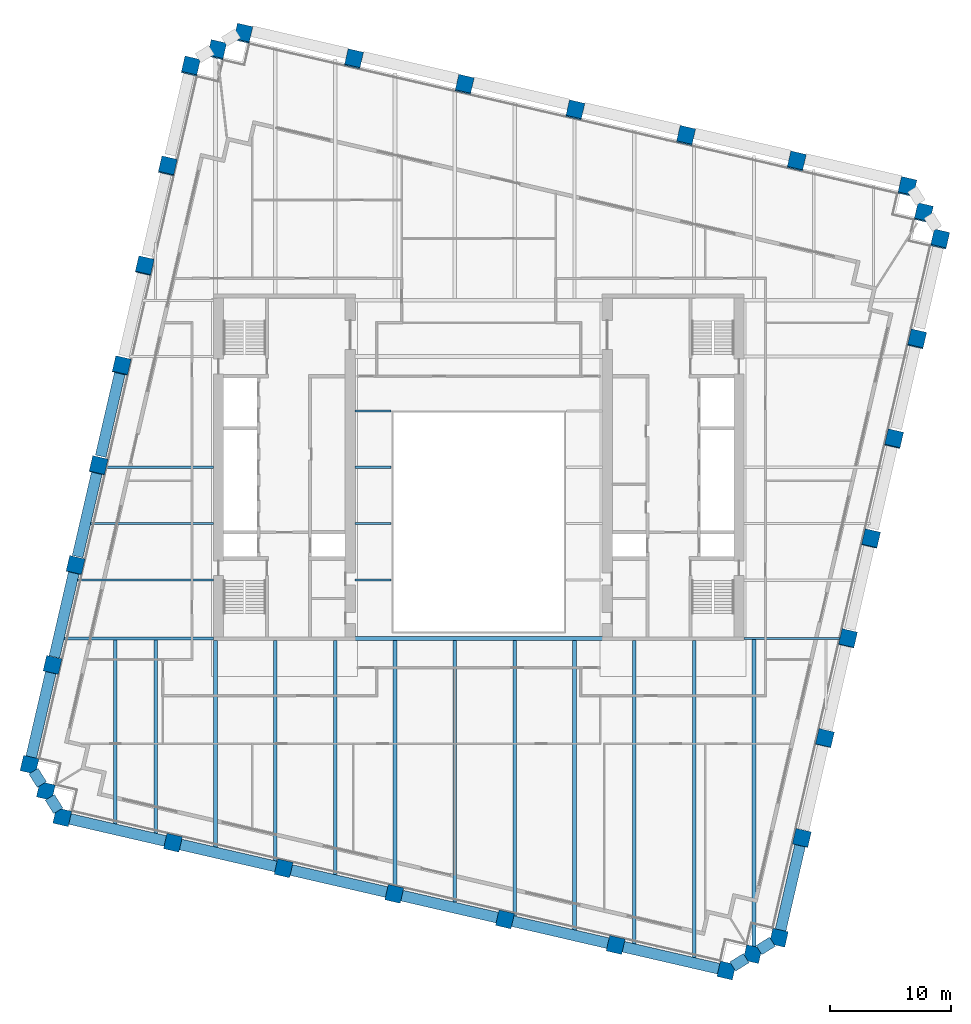
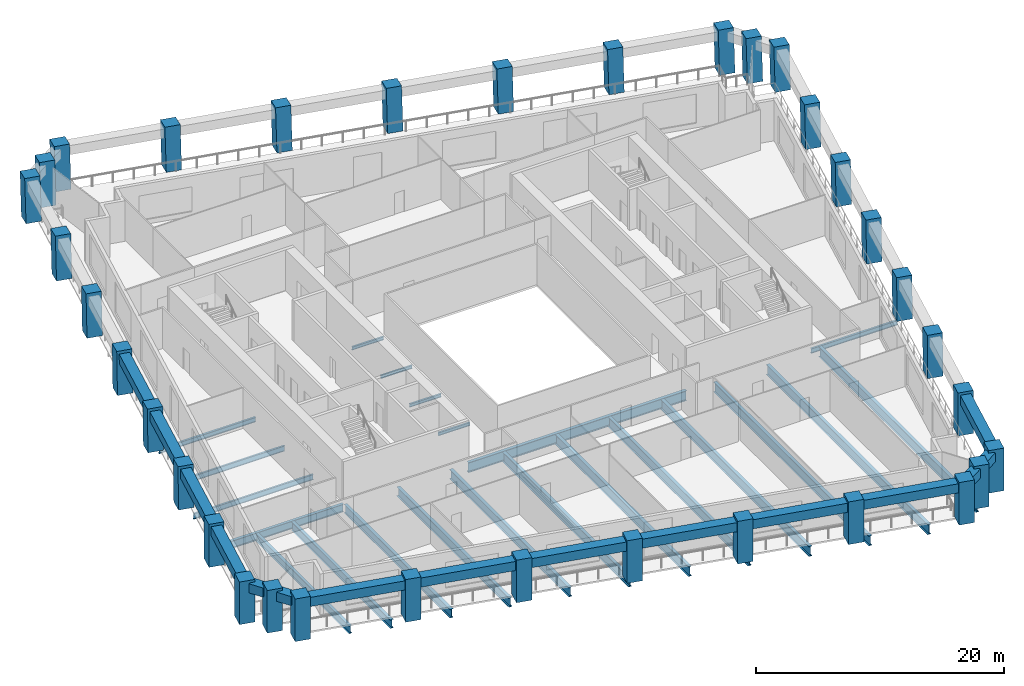
# One storey, part 1 of 10: 37 beams, 34 columns.
"""IFC4 building model written with IfcOpenShell, lengths in metres."""

from ifc_helpers import new_model, si_unit, direction, frame, origin, origin_2d, place, context, subcontext, project, spatial, rectangle, i_section, extrude, material, material_profile, profile_set, type_object, element, save


model = new_model("IFC4")

# Units and contexts
model_context = context("Model", 3, precision=1e-05, world=origin(), true_north=direction((0.0, 1.0)))
body_context = subcontext(model_context, "Body", "Model", "MODEL_VIEW")
ifc_project = project(units=[si_unit("LENGTHUNIT", "METRE"), si_unit("AREAUNIT", "SQUARE_METRE"), si_unit("VOLUMEUNIT", "CUBIC_METRE"), si_unit("PLANEANGLEUNIT", "RADIAN"), si_unit("MASSUNIT", "GRAM", prefix="KILO")], contexts=[model_context])

# Site, building, storey
site_placement = place(None, origin())
site = spatial("IfcSite", under=ifc_project, at=site_placement, CompositionType="ELEMENT")
building_placement = place(site_placement, origin())
building = spatial("IfcBuilding", under=site, at=building_placement, Name="Ogive Exchange Tower", CompositionType="ELEMENT")
storey_placement = place(building_placement, frame((0.0, 0.0, 147.60009765625)))
storey = spatial("IfcBuildingStorey", under=building, at=storey_placement, Name="L32", CompositionType="ELEMENT", Elevation=147.60009765625)

# Columns
ifc_material_1 = material(Name="Precast concrete C70/85 (limestone faced)", Category="masonry")
ifc_material_profile_1 = material_profile(ifc_material_1, rectangle(XDim=1.300048828125, YDim=1.300048828125, at=origin_2d()), Name="1300 x 1300")
ifc_profile_set_1 = profile_set([ifc_material_profile_1], Name="Precast concrete C70/85 (limestone faced)")
column_type = type_object("IfcColumnType", Name="Precast exoskeleton leg 1300 x 1300 C70/85", PredefinedType="COLUMN", material=ifc_profile_set_1)
for number, where, z_axis, x_axis, name in (
    (1, (-34.281982421875, -17.298095703125, 0.0), (0.0, 0.0, 1.0), (0.974370064785, -0.224951054344, 0.0), "Exoskeleton leg 1"),
    (2, (-25.171630859375, -19.401611328125, 0.0), (0.0, 0.0, 1.0), (0.974370064785, -0.224951054344, 0.0), "Exoskeleton leg 2"),
    (3, (-16.061279296875, -21.504638671875, 0.0), (0.0, 0.0, 1.0), (0.974370064785, -0.224951054344, 0.0), "Exoskeleton leg 3"),
    (4, (-6.950927734375, -23.60791015625, 0.0), (0.0, 0.0, 1.0), (0.974370064785, -0.224951054344, 0.0), "Exoskeleton leg 4"),
    (5, (2.159423828125, -25.711181640625, 0.0), (0.0, 0.0, 1.0), (0.974370064785, -0.224951054344, 0.0), "Exoskeleton leg 5"),
    (6, (11.269775390625, -27.814697265625, 0.0), (0.0, 0.0, 1.0), (0.974370064785, -0.224951054344, 0.0), "Exoskeleton leg 6"),
    (7, (20.380126953125, -29.91796875, 0.0), (0.0, 0.0, 1.0), (0.974370064785, -0.224951054344, 0.0), "Exoskeleton leg 7"),
    (8, (24.697509765625, -27.219970703125, 0.0), (0.0, 0.0, 1.0), (0.974370064785, -0.224951054344, 0.0), "Exoskeleton leg 8"),
):
    element("IfcColumn", number, at=place(storey_placement, frame(where, z_axis=z_axis, x_axis=x_axis)), inside=storey, type_object=column_type, Name=name, PredefinedType="COLUMN", context=body_context, shape_type="SweptSolid", body=[
        extrude(rectangle(XDim=1.300048828125, YDim=1.300048828125, at=origin_2d()), origin(), (0.0, 0.0, 1.0), 4.199951171875),
    ])
column_1_placement = place(storey_placement, frame((26.592529296875, -19.012451171875, 0.0), z_axis=(0.002906226325, 0.012613022249, 0.99991622925), x_axis=(-0.974466825284, 0.224531526563, 0.0)))
element("IfcColumn", 9, at=column_1_placement, inside=storey, type_object=column_type, Name="Exoskeleton leg 9", PredefinedType="COLUMN", context=body_context, shape_type="SweptSolid", body=[
    extrude(rectangle(XDim=1.300048828125, YDim=1.300048828125, at=origin_2d()), origin(), (0.0, 0.0, 1.0), 4.2001953125),
])
column_2_placement = place(storey_placement, frame((28.4873046875, -10.804931640625, 0.0), z_axis=(0.005869091843, 0.025277771797, 0.999663237302), x_axis=(-0.974088391429, 0.226167649504, 0.0)))
element("IfcColumn", 10, at=column_2_placement, inside=storey, type_object=column_type, Name="Exoskeleton leg 10", PredefinedType="COLUMN", context=body_context, shape_type="SweptSolid", body=[
    extrude(rectangle(XDim=1.300048828125, YDim=1.300048828125, at=origin_2d()), origin(), (0.0, 0.0, 1.0), 4.201416015625),
])
column_3_placement = place(storey_placement, frame((30.382080078125, -2.597412109375, 0.0), z_axis=(0.008770884695, 0.037929719907, 0.99924191662), x_axis=(-0.974290512438, 0.225295355862, 0.0)))
element("IfcColumn", 11, at=column_3_placement, inside=storey, type_object=column_type, Name="Exoskeleton leg 11", PredefinedType="COLUMN", context=body_context, shape_type="SweptSolid", body=[
    extrude(rectangle(XDim=1.300048828125, YDim=1.300048828125, at=origin_2d()), origin(), (0.0, 0.0, 1.0), 4.203125),
])
column_4_placement = place(storey_placement, frame((32.277099609375, 5.60986328125, 0.0), z_axis=(0.011668267153, 0.050562490995, 0.998652735462), x_axis=(-0.974391195695, 0.224859506699, 0.0)))
element("IfcColumn", 12, at=column_4_placement, inside=storey, type_object=column_type, Name="Exoskeleton leg 12", PredefinedType="COLUMN", context=body_context, shape_type="SweptSolid", body=[
    extrude(rectangle(XDim=1.300048828125, YDim=1.300048828125, at=origin_2d()), origin(), (0.0, 0.0, 1.0), 4.20556640625),
])
column_5_placement = place(storey_placement, frame((34.171875, 13.8173828125, 0.0), z_axis=(0.014559788571, 0.063169759976, 0.997896584813), x_axis=(-0.97445148511, 0.224598092528, 0.0)))
element("IfcColumn", 13, at=column_5_placement, inside=storey, type_object=column_type, Name="Exoskeleton leg 13", PredefinedType="COLUMN", context=body_context, shape_type="SweptSolid", body=[
    extrude(rectangle(XDim=1.300048828125, YDim=1.300048828125, at=origin_2d()), origin(), (0.0, 0.0, 1.0), 4.208740234375),
])
column_6_placement = place(storey_placement, frame((36.066650390625, 22.02490234375, 0.0), z_axis=(0.017502025619, 0.075687567741, 0.996977969259), x_axis=(-0.974290512438, 0.225295355862, 0.0)))
element("IfcColumn", 14, at=column_6_placement, inside=storey, type_object=column_type, Name="Exoskeleton leg 14", PredefinedType="COLUMN", context=body_context, shape_type="SweptSolid", body=[
    extrude(rectangle(XDim=1.300048828125, YDim=1.300048828125, at=origin_2d()), origin(), (0.0, 0.0, 1.0), 4.212646484375),
])
for number, where, z_axis, x_axis, name in (
    (15, (37.961669921875, 30.232421875, 0.0), (0.020377493232, 0.0882252832, 0.995892091129), (-0.97434807649, 0.225046274885, 0.0), "Exoskeleton leg 15"),
    (16, (35.263671875, 34.550048828125, 0.0), (0.020377493232, 0.0882252832, 0.995892091129), (-0.97434807649, 0.225046274885, 0.0), "Exoskeleton leg 16"),
    (17, (26.1533203125, 36.6533203125, 0.0), (0.020377493232, 0.0882252832, 0.995892091129), (-0.97434807649, 0.225046274885, 0.0), "Exoskeleton leg 17"),
    (18, (17.04296875, 38.756591796875, 0.0), (0.020377493232, 0.0882252832, 0.995892091129), (-0.97434807649, 0.225046274885, 0.0), "Exoskeleton leg 18"),
    (19, (7.9326171875, 40.85986328125, 0.0), (0.020377493232, 0.0882252832, 0.995892091129), (-0.97434807649, 0.225046274885, 0.0), "Exoskeleton leg 19"),
    (20, (-1.177734375, 42.963134765625, 0.0), (0.020377493232, 0.0882252832, 0.995892091129), (-0.97434807649, 0.225046274885, 0.0), "Exoskeleton leg 20"),
    (21, (-10.2880859375, 45.06640625, 0.0), (0.020377493232, 0.0882252832, 0.995892091129), (-0.97434807649, 0.225046274885, 0.0), "Exoskeleton leg 21"),
    (22, (-19.3984375, 47.169677734375, 0.0), (0.020377493232, 0.0882252832, 0.995892091129), (-0.97434807649, 0.225046274885, 0.0), "Exoskeleton leg 22"),
    (23, (-23.716064453125, 44.4716796875, 0.0), (0.020377493232, 0.0882252832, 0.995892091129), (-0.97434807649, 0.225046274885, 0.0), "Exoskeleton leg 23"),
):
    element("IfcColumn", number, at=place(storey_placement, frame(where, z_axis=z_axis, x_axis=x_axis)), inside=storey, type_object=column_type, Name=name, PredefinedType="COLUMN", context=body_context, shape_type="SweptSolid", body=[
        extrude(rectangle(XDim=1.300048828125, YDim=1.300048828125, at=origin_2d()), origin(), (0.0, 0.0, 1.0), 4.21728515625),
    ])
column_7_placement = place(storey_placement, frame((-25.61083984375, 36.264404296875, 0.0), z_axis=(0.017444089556, 0.075687644385, 0.996978978829), x_axis=(-0.974454034257, 0.224587032398, 0.0)))
element("IfcColumn", 24, at=column_7_placement, inside=storey, type_object=column_type, Name="Exoskeleton leg 24", PredefinedType="COLUMN", context=body_context, shape_type="SweptSolid", body=[
    extrude(rectangle(XDim=1.300048828125, YDim=1.300048828125, at=origin_2d()), origin(), (0.0, 0.0, 1.0), 4.212646484375),
])
column_8_placement = place(storey_placement, frame((-27.505615234375, 28.056884765625, 0.0), z_axis=(0.014559841898, 0.063111984005, 0.997900239743), x_axis=(-0.97440628778, 0.224794097641, 0.0)))
element("IfcColumn", 25, at=column_8_placement, inside=storey, type_object=column_type, Name="Exoskeleton leg 25", PredefinedType="COLUMN", context=body_context, shape_type="SweptSolid", body=[
    extrude(rectangle(XDim=1.300048828125, YDim=1.300048828125, at=origin_2d()), origin(), (0.0, 0.0, 1.0), 4.208740234375),
])
column_9_placement = place(storey_placement, frame((-29.400634765625, 19.849365234375, 0.0), z_axis=(0.011668267153, 0.050562490995, 0.998652735462), x_axis=(-0.974391195695, 0.224859506699, 0.0)))
element("IfcColumn", 26, at=column_9_placement, inside=storey, type_object=column_type, Name="Exoskeleton leg 26", PredefinedType="COLUMN", context=body_context, shape_type="SweptSolid", body=[
    extrude(rectangle(XDim=1.300048828125, YDim=1.300048828125, at=origin_2d()), origin(), (0.0, 0.0, 1.0), 4.20556640625),
])
column_10_placement = place(storey_placement, frame((-31.29541015625, 11.641845703125, 0.0), z_axis=(0.008770884695, 0.037929719907, 0.99924191662), x_axis=(-0.974290512438, 0.225295355862, 0.0)))
element("IfcColumn", 27, at=column_10_placement, inside=storey, type_object=column_type, Name="Exoskeleton leg 27", PredefinedType="COLUMN", context=body_context, shape_type="SweptSolid", body=[
    extrude(rectangle(XDim=1.300048828125, YDim=1.300048828125, at=origin_2d()), origin(), (0.0, 0.0, 1.0), 4.203125),
])
column_11_placement = place(storey_placement, frame((-33.190185546875, 3.434326171875, 0.0), z_axis=(0.005810975449, 0.025335852957, 0.999662106474), x_axis=(-0.974691740237, 0.22355315143, 0.0)))
element("IfcColumn", 28, at=column_11_placement, inside=storey, type_object=column_type, Name="Exoskeleton leg 28", PredefinedType="COLUMN", context=body_context, shape_type="SweptSolid", body=[
    extrude(rectangle(XDim=1.300048828125, YDim=1.300048828125, at=origin_2d()), origin(), (0.0, 0.0, 1.0), 4.201416015625),
])
column_12_placement = place(storey_placement, frame((-35.085205078125, -4.773193359375, 0.0), z_axis=(0.002906224189, 0.012671137464, 0.999915494498), x_axis=(-0.974691740237, 0.22355315143, 0.0)))
element("IfcColumn", 29, at=column_12_placement, inside=storey, type_object=column_type, Name="Exoskeleton leg 29", PredefinedType="COLUMN", context=body_context, shape_type="SweptSolid", body=[
    extrude(rectangle(XDim=1.300048828125, YDim=1.300048828125, at=origin_2d()), origin(), (0.0, 0.0, 1.0), 4.2001953125),
])
for number, where, z_axis, x_axis, name in (
    (30, (-36.97998046875, -12.980712890625, 0.0), (0.0, 0.0, 1.0), (0.974370064785, -0.224951054344, 0.0), "Exoskeleton leg 30"),
    (31, (22.538818359375, -28.569091796875, 0.0), (0.0, 0.0, 1.0), (0.974370064785, -0.224951054344, 0.0), "Exoskeleton leg 31"),
):
    element("IfcColumn", number, at=place(storey_placement, frame(where, z_axis=z_axis, x_axis=x_axis)), inside=storey, type_object=column_type, Name=name, PredefinedType="COLUMN", context=body_context, shape_type="SweptSolid", body=[
        extrude(rectangle(XDim=1.300048828125, YDim=1.300048828125, at=origin_2d()), origin(), (0.0, 0.0, 1.0), 4.199951171875),
    ])
for number, where, z_axis, x_axis, name in (
    (32, (36.612548828125, 32.39111328125, 0.0), (0.020377493232, 0.0882252832, 0.995892091129), (-0.97434807649, 0.225046274885, 0.0), "Exoskeleton leg 32"),
    (33, (-21.557373046875, 45.82080078125, 0.0), (0.020377493232, 0.0882252832, 0.995892091129), (-0.97434807649, 0.225046274885, 0.0), "Exoskeleton leg 33"),
):
    element("IfcColumn", number, at=place(storey_placement, frame(where, z_axis=z_axis, x_axis=x_axis)), inside=storey, type_object=column_type, Name=name, PredefinedType="COLUMN", context=body_context, shape_type="SweptSolid", body=[
        extrude(rectangle(XDim=1.300048828125, YDim=1.300048828125, at=origin_2d()), origin(), (0.0, 0.0, 1.0), 4.21728515625),
    ])
column_13_placement = place(storey_placement, frame((-35.631103515625, -15.139404296875, 0.0), z_axis=(0.0, 0.0, 1.0), x_axis=(0.974370064785, -0.224951054344, 0.0)))
element("IfcColumn", 34, at=column_13_placement, inside=storey, type_object=column_type, Name="Exoskeleton leg 34", PredefinedType="COLUMN", context=body_context, shape_type="SweptSolid", body=[
    extrude(rectangle(XDim=1.300048828125, YDim=1.300048828125, at=origin_2d()), origin(), (0.0, 0.0, 1.0), 4.199951171875),
])

# Beams
ifc_material_2 = material(Name="Steel ASTM A992 Gr50", Category="steel")
ifc_material_profile_2 = material_profile(ifc_material_2, i_section(OverallWidth=0.300048828125, OverallDepth=0.97998046875, WebThickness=0.0166015625, FlangeThickness=0.026123046875, at=origin_2d()), Name="W1000x249")
ifc_profile_set_2 = profile_set([ifc_material_profile_2], Name="Steel ASTM A992 Gr50")
beam_type_1 = type_object("IfcBeamType", Name="Floor beam W1000x249", PredefinedType="JOIST", material=ifc_profile_set_2)
beam_1_placement = place(storey_placement, frame((-6.8955078125, -23.158935546875, -0.690185546875), z_axis=(0.0, 1.0, 0.0), x_axis=(-1.0, 0.0, 0.0)))
element("IfcBeam", 35, at=beam_1_placement, inside=storey, type_object=beam_type_1, Name="Floor beam", PredefinedType="JOIST", context=body_context, shape_type="SweptSolid", body=[
    extrude(i_section(OverallWidth=0.300048828125, OverallDepth=0.97998046875, WebThickness=0.0166015625, FlangeThickness=0.026123046875, at=origin_2d()), origin(), (0.0, 0.0, 1.0), 20.413818359375),
])
beam_2_placement = place(storey_placement, frame((-1.97119140625, -24.2958984375, -0.690185546875), z_axis=(0.0, 1.0, 0.0), x_axis=(-1.0, 0.0, 0.0)))
element("IfcBeam", 36, at=beam_2_placement, inside=storey, type_object=beam_type_1, Name="Floor beam", PredefinedType="JOIST", context=body_context, shape_type="SweptSolid", body=[
    extrude(i_section(OverallWidth=0.300048828125, OverallDepth=0.97998046875, WebThickness=0.0166015625, FlangeThickness=0.026123046875, at=origin_2d()), origin(), (0.0, 0.0, 1.0), 21.55078125),
])
beam_3_placement = place(storey_placement, frame((2.952880859375, -25.4326171875, -0.690185546875), z_axis=(0.0, 1.0, 0.0), x_axis=(-1.0, 0.0, 0.0)))
element("IfcBeam", 37, at=beam_3_placement, inside=storey, type_object=beam_type_1, Name="Floor beam", PredefinedType="JOIST", context=body_context, shape_type="SweptSolid", body=[
    extrude(i_section(OverallWidth=0.300048828125, OverallDepth=0.97998046875, WebThickness=0.0166015625, FlangeThickness=0.026123046875, at=origin_2d()), origin(), (0.0, 0.0, 1.0), 22.6875),
])
beam_4_placement = place(storey_placement, frame((7.876953125, -26.719482421875, -0.690185546875), z_axis=(0.0, 1.0, 0.0), x_axis=(-1.0, 0.0, 0.0)))
element("IfcBeam", 38, at=beam_4_placement, inside=storey, type_object=beam_type_1, Name="Floor beam", PredefinedType="JOIST", context=body_context, shape_type="SweptSolid", body=[
    extrude(i_section(OverallWidth=0.300048828125, OverallDepth=0.97998046875, WebThickness=0.0166015625, FlangeThickness=0.026123046875, at=origin_2d()), origin(), (0.0, 0.0, 1.0), 23.974365234375),
])
beam_5_placement = place(storey_placement, frame((12.80126953125, -27.856201171875, -0.690185546875), z_axis=(0.0, 1.0, 0.0), x_axis=(-1.0, 0.0, 0.0)))
element("IfcBeam", 39, at=beam_5_placement, inside=storey, type_object=beam_type_1, Name="Floor beam", PredefinedType="JOIST", context=body_context, shape_type="SweptSolid", body=[
    extrude(i_section(OverallWidth=0.300048828125, OverallDepth=0.97998046875, WebThickness=0.0166015625, FlangeThickness=0.026123046875, at=origin_2d()), origin(), (0.0, 0.0, 1.0), 25.106201171875),
])
beam_6_placement = place(storey_placement, frame((17.725341796875, -28.84326171875, -0.690185546875), z_axis=(0.0, 1.0, 0.0), x_axis=(-1.0, 0.0, 0.0)))
element("IfcBeam", 40, at=beam_6_placement, inside=storey, type_object=beam_type_1, Name="Floor beam", PredefinedType="JOIST", context=body_context, shape_type="SweptSolid", body=[
    extrude(i_section(OverallWidth=0.300048828125, OverallDepth=0.97998046875, WebThickness=0.0166015625, FlangeThickness=0.026123046875, at=origin_2d()), origin(), (0.0, 0.0, 1.0), 26.09326171875),
])
beam_7_placement = place(storey_placement, frame((22.6494140625, -28.077392578125, -0.690185546875), z_axis=(0.0, 1.0, 0.0), x_axis=(-1.0, 0.0, 0.0)))
element("IfcBeam", 41, at=beam_7_placement, inside=storey, type_object=beam_type_1, Name="Floor beam", PredefinedType="JOIST", context=body_context, shape_type="SweptSolid", body=[
    extrude(i_section(OverallWidth=0.300048828125, OverallDepth=0.97998046875, WebThickness=0.0166015625, FlangeThickness=0.026123046875, at=origin_2d()), origin(), (0.0, 0.0, 1.0), 25.386962890625),
])
ifc_material_profile_3 = material_profile(ifc_material_2, i_section(OverallWidth=0.1650390625, OverallDepth=0.31005859375, WebThickness=0.005859375, FlangeThickness=0.009765625, at=origin_2d()), Name="W310x38.7")
ifc_profile_set_3 = profile_set([ifc_material_profile_3], Name="Steel ASTM A992 Gr50")
beam_type_2 = type_object("IfcBeamType", Name="Floor beam W310x38.7", PredefinedType="JOIST", material=ifc_profile_set_3)
for number, where, z_axis, x_axis, name in (
    (42, (-10.169921875, 2.208740234375, -0.35498046875), (1.0, 0.0, 0.0), (0.0, 1.0, 0.0), "Floor beam"),
    (43, (-10.169921875, 6.857421875, -0.35498046875), (1.0, 0.0, 0.0), (0.0, 1.0, 0.0), "Floor beam"),
    (44, (-10.169921875, 11.50634765625, -0.35498046875), (1.0, 0.0, 0.0), (0.0, 1.0, 0.0), "Floor beam"),
):
    element("IfcBeam", number, at=place(storey_placement, frame(where, z_axis=z_axis, x_axis=x_axis)), inside=storey, type_object=beam_type_2, Name=name, PredefinedType="JOIST", context=body_context, shape_type="SweptSolid", body=[
        extrude(i_section(OverallWidth=0.1650390625, OverallDepth=0.31005859375, WebThickness=0.005859375, FlangeThickness=0.009765625, at=origin_2d()), origin(), (0.0, 0.0, 1.0), 2.949951171875),
    ])
ifc_material_profile_4 = material_profile(ifc_material_2, i_section(OverallWidth=0.19091796875, OverallDepth=0.45703125, WebThickness=0.009033203125, FlangeThickness=0.014404296875, at=origin_2d()), Name="W460x74")
ifc_profile_set_4 = profile_set([ifc_material_profile_4], Name="Steel ASTM A992 Gr50")
beam_type_3 = type_object("IfcBeamType", Name="Floor beam W460x74", PredefinedType="JOIST", material=ifc_profile_set_4)
beam_8_placement = place(storey_placement, frame((-30.864990234375, 11.50634765625, -0.4287109375), z_axis=(1.0, 0.0, 0.0), x_axis=(0.0, 1.0, 0.0)))
element("IfcBeam", 45, at=beam_8_placement, inside=storey, type_object=beam_type_3, Name="Floor beam", PredefinedType="JOIST", context=body_context, shape_type="SweptSolid", body=[
    extrude(i_section(OverallWidth=0.19091796875, OverallDepth=0.45703125, WebThickness=0.009033203125, FlangeThickness=0.014404296875, at=origin_2d()), origin(), (0.0, 0.0, 1.0), 9.034912109375),
])
ifc_material_profile_5 = material_profile(ifc_material_2, i_section(OverallWidth=0.1669921875, OverallDepth=0.535888671875, WebThickness=0.01025390625, FlangeThickness=0.0166015625, at=origin_2d()), Name="W530x85")
ifc_profile_set_5 = profile_set([ifc_material_profile_5], Name="Steel ASTM A992 Gr50")
beam_type_4 = type_object("IfcBeamType", Name="Floor beam W530x85", PredefinedType="JOIST", material=ifc_profile_set_5)
beam_9_placement = place(storey_placement, frame((-33.011474609375, 2.208740234375, -0.468017578125), z_axis=(1.0, 0.0, 0.0), x_axis=(0.0, 1.0, 0.0)))
element("IfcBeam", 46, at=beam_9_placement, inside=storey, type_object=beam_type_4, Name="Floor beam", PredefinedType="JOIST", context=body_context, shape_type="SweptSolid", body=[
    extrude(i_section(OverallWidth=0.1669921875, OverallDepth=0.535888671875, WebThickness=0.01025390625, FlangeThickness=0.0166015625, at=origin_2d()), origin(), (0.0, 0.0, 1.0), 11.181396484375),
])
beam_10_placement = place(storey_placement, frame((-31.938232421875, 6.857421875, -0.468017578125), z_axis=(1.0, 0.0, 0.0), x_axis=(0.0, 1.0, 0.0)))
element("IfcBeam", 47, at=beam_10_placement, inside=storey, type_object=beam_type_4, Name="Floor beam", PredefinedType="JOIST", context=body_context, shape_type="SweptSolid", body=[
    extrude(i_section(OverallWidth=0.1669921875, OverallDepth=0.535888671875, WebThickness=0.01025390625, FlangeThickness=0.0166015625, at=origin_2d()), origin(), (0.0, 0.0, 1.0), 10.108154296875),
])
ifc_material_profile_6 = material_profile(ifc_material_2, i_section(OverallWidth=0.26708984375, OverallDepth=0.75390625, WebThickness=0.01318359375, FlangeThickness=0.01708984375, at=origin_2d()), Name="W760x147")
ifc_profile_set_6 = profile_set([ifc_material_profile_6], Name="Steel ASTM A992 Gr50")
beam_type_5 = type_object("IfcBeamType", Name="Floor beam W760x147", PredefinedType="JOIST", material=ifc_profile_set_6)
beam_11_placement = place(storey_placement, frame((-29.916015625, -17.84423828125, -0.5771484375), z_axis=(0.0, 1.0, 0.0), x_axis=(-1.0, 0.0, 0.0)))
element("IfcBeam", 48, at=beam_11_placement, inside=storey, type_object=beam_type_5, Name="Floor beam", PredefinedType="JOIST", context=body_context, shape_type="SweptSolid", body=[
    extrude(i_section(OverallWidth=0.26708984375, OverallDepth=0.75390625, WebThickness=0.01318359375, FlangeThickness=0.01708984375, at=origin_2d()), origin(), (0.0, 0.0, 1.0), 15.11572265625),
])
ifc_material_profile_7 = material_profile(ifc_material_2, i_section(OverallWidth=0.2919921875, OverallDepth=0.8359375, WebThickness=0.013916015625, FlangeThickness=0.018798828125, at=origin_2d()), Name="W840x176")
ifc_profile_set_7 = profile_set([ifc_material_profile_7], Name="Steel ASTM A992 Gr50")
beam_type_6 = type_object("IfcBeamType", Name="Floor beam W840x176", PredefinedType="JOIST", material=ifc_profile_set_7)
beam_12_placement = place(storey_placement, frame((-26.592041015625, -18.76171875, -0.6181640625), z_axis=(0.0, 1.0, 0.0), x_axis=(-1.0, 0.0, 0.0)))
element("IfcBeam", 49, at=beam_12_placement, inside=storey, type_object=beam_type_6, Name="Floor beam", PredefinedType="JOIST", context=body_context, shape_type="SweptSolid", body=[
    extrude(i_section(OverallWidth=0.2919921875, OverallDepth=0.8359375, WebThickness=0.013916015625, FlangeThickness=0.018798828125, at=origin_2d()), origin(), (0.0, 0.0, 1.0), 16.033203125),
])
beam_13_placement = place(storey_placement, frame((-21.667724609375, -19.898681640625, -0.6181640625), z_axis=(0.0, 1.0, 0.0), x_axis=(-1.0, 0.0, 0.0)))
element("IfcBeam", 50, at=beam_13_placement, inside=storey, type_object=beam_type_6, Name="Floor beam", PredefinedType="JOIST", context=body_context, shape_type="SweptSolid", body=[
    extrude(i_section(OverallWidth=0.2919921875, OverallDepth=0.8359375, WebThickness=0.013916015625, FlangeThickness=0.018798828125, at=origin_2d()), origin(), (0.0, 0.0, 1.0), 17.148681640625),
])
ifc_material_profile_8 = material_profile(ifc_material_2, i_section(OverallWidth=0.304931640625, OverallDepth=0.904052734375, WebThickness=0.01513671875, FlangeThickness=0.02001953125, at=origin_2d()), Name="W920x201")
ifc_profile_set_8 = profile_set([ifc_material_profile_8], Name="Steel ASTM A992 Gr50")
beam_type_7 = type_object("IfcBeamType", Name="Floor beam W920x201", PredefinedType="JOIST", material=ifc_profile_set_8)
beam_14_placement = place(storey_placement, frame((-16.74365234375, -20.885498046875, -0.652099609375), z_axis=(0.0, 1.0, 0.0), x_axis=(-1.0, 0.0, 0.0)))
element("IfcBeam", 51, at=beam_14_placement, inside=storey, type_object=beam_type_7, Name="Floor beam", PredefinedType="JOIST", context=body_context, shape_type="SweptSolid", body=[
    extrude(i_section(OverallWidth=0.304931640625, OverallDepth=0.904052734375, WebThickness=0.01513671875, FlangeThickness=0.02001953125, at=origin_2d()), origin(), (0.0, 0.0, 1.0), 18.135498046875),
])
ifc_material_profile_9 = material_profile(ifc_material_2, i_section(OverallWidth=0.304931640625, OverallDepth=0.9189453125, WebThickness=0.017333984375, FlangeThickness=0.02783203125, at=origin_2d()), Name="W920x253")
ifc_profile_set_9 = profile_set([ifc_material_profile_9], Name="Steel ASTM A992 Gr50")
beam_type_8 = type_object("IfcBeamType", Name="Floor beam W920x253", PredefinedType="JOIST", material=ifc_profile_set_9)
beam_15_placement = place(storey_placement, frame((-11.819580078125, -22.022216796875, -0.65966796875), z_axis=(0.0, 1.0, 0.0), x_axis=(-1.0, 0.0, 0.0)))
element("IfcBeam", 52, at=beam_15_placement, inside=storey, type_object=beam_type_8, Name="Floor beam", PredefinedType="JOIST", context=body_context, shape_type="SweptSolid", body=[
    extrude(i_section(OverallWidth=0.304931640625, OverallDepth=0.9189453125, WebThickness=0.017333984375, FlangeThickness=0.02783203125, at=origin_2d()), origin(), (0.0, 0.0, 1.0), 19.272216796875),
])
ifc_material_profile_10 = material_profile(ifc_material_2, i_section(OverallWidth=0.300048828125, OverallDepth=0.97998046875, WebThickness=0.0166015625, FlangeThickness=0.026123046875, at=origin_2d()), Name="W1000x249")
ifc_profile_set_10 = profile_set([ifc_material_profile_10], Name="Steel ASTM A992 Gr50")
beam_type_9 = type_object("IfcBeamType", Name="Girder W1000x249", PredefinedType="BEAM", material=ifc_profile_set_10)
beam_16_placement = place(storey_placement, frame((-10.169921875, -2.594970703125, -0.690185546875), z_axis=(1.0, 0.0, 0.0), x_axis=(0.0, 1.0, 0.0)))
element("IfcBeam", 53, at=beam_16_placement, inside=storey, type_object=beam_type_9, Name="Header girder", PredefinedType="BEAM", context=body_context, shape_type="SweptSolid", body=[
    extrude(i_section(OverallWidth=0.300048828125, OverallDepth=0.97998046875, WebThickness=0.0166015625, FlangeThickness=0.026123046875, at=origin_2d()), origin(), (0.0, 0.0, 1.0), 20.33984375),
])
ifc_material_profile_11 = material_profile(ifc_material_2, i_section(OverallWidth=0.1650390625, OverallDepth=0.31005859375, WebThickness=0.005859375, FlangeThickness=0.009765625, at=origin_2d()), Name="W310x38.7")
ifc_profile_set_11 = profile_set([ifc_material_profile_11], Name="Steel ASTM A992 Gr50")
beam_type_10 = type_object("IfcBeamType", Name="Girder W310x38.7", PredefinedType="BEAM", material=ifc_profile_set_11)
beam_17_placement = place(storey_placement, frame((-10.169921875, 16.155029296875, -0.35498046875), z_axis=(1.0, 0.0, 0.0), x_axis=(0.0, 1.0, 0.0)))
element("IfcBeam", 54, at=beam_17_placement, inside=storey, type_object=beam_type_10, Name="Trimmer girder", PredefinedType="BEAM", context=body_context, shape_type="SweptSolid", body=[
    extrude(i_section(OverallWidth=0.1650390625, OverallDepth=0.31005859375, WebThickness=0.005859375, FlangeThickness=0.009765625, at=origin_2d()), origin(), (0.0, 0.0, 1.0), 2.949951171875),
])
ifc_material_profile_12 = material_profile(ifc_material_2, i_section(OverallWidth=0.19091796875, OverallDepth=0.45703125, WebThickness=0.009033203125, FlangeThickness=0.014404296875, at=origin_2d()), Name="W460x74")
ifc_profile_set_12 = profile_set([ifc_material_profile_12], Name="Steel ASTM A992 Gr50")
beam_type_11 = type_object("IfcBeamType", Name="Girder W460x74", PredefinedType="BEAM", material=ifc_profile_set_12)
beam_18_placement = place(storey_placement, frame((21.830078125, -2.594970703125, -0.4287109375), z_axis=(1.0, 0.0, 0.0), x_axis=(0.0, 1.0, 0.0)))
element("IfcBeam", 55, at=beam_18_placement, inside=storey, type_object=beam_type_11, Name="Header girder", PredefinedType="BEAM", context=body_context, shape_type="SweptSolid", body=[
    extrude(i_section(OverallWidth=0.19091796875, OverallDepth=0.45703125, WebThickness=0.009033203125, FlangeThickness=0.014404296875, at=origin_2d()), origin(), (0.0, 0.0, 1.0), 8.0908203125),
])
ifc_material_profile_13 = material_profile(ifc_material_2, i_section(OverallWidth=0.26708984375, OverallDepth=0.75390625, WebThickness=0.01318359375, FlangeThickness=0.01708984375, at=origin_2d()), Name="W760x147")
ifc_profile_set_13 = profile_set([ifc_material_profile_13], Name="Steel ASTM A992 Gr50")
beam_type_12 = type_object("IfcBeamType", Name="Girder W760x147", PredefinedType="BEAM", material=ifc_profile_set_13)
beam_19_placement = place(storey_placement, frame((-34.2705078125, -2.594970703125, -0.5771484375), z_axis=(1.0, 0.0, 0.0), x_axis=(0.0, 1.0, 0.0)))
element("IfcBeam", 56, at=beam_19_placement, inside=storey, type_object=beam_type_12, Name="Header girder", PredefinedType="BEAM", context=body_context, shape_type="SweptSolid", body=[
    extrude(i_section(OverallWidth=0.26708984375, OverallDepth=0.75390625, WebThickness=0.01318359375, FlangeThickness=0.01708984375, at=origin_2d()), origin(), (0.0, 0.0, 1.0), 12.4404296875),
])
ifc_material_profile_14 = material_profile(ifc_material_1, rectangle(XDim=0.89990234375, YDim=0.89990234375, at=origin_2d()), Name="900 x 900")
ifc_profile_set_14 = profile_set([ifc_material_profile_14], Name="Precast concrete C70/85 (limestone faced)")
beam_type_13 = type_object("IfcBeamType", Name="Precast spandrel 900 x 900 C70/85", PredefinedType="SPANDREL", material=ifc_profile_set_14)
for number, where, z_axis, x_axis, name in (
    (57, (-33.668212890625, -17.43994140625, 3.5), (0.974370337884, -0.224949871421, 0.0), (0.224949871421, 0.974370337884, 0.0), "Spandrel 1"),
    (58, (-24.557861328125, -19.543212890625, 3.5), (0.974370337884, -0.224949871421, 0.0), (0.224949871421, 0.974370337884, 0.0), "Spandrel 2"),
):
    element("IfcBeam", number, at=place(storey_placement, frame(where, z_axis=z_axis, x_axis=x_axis)), inside=storey, type_object=beam_type_13, Name=name, PredefinedType="SPANDREL", context=body_context, shape_type="SweptSolid", body=[
        extrude(rectangle(XDim=0.89990234375, YDim=0.89990234375, at=origin_2d()), origin(), (0.0, 0.0, 1.0), 8.08984375),
    ])
beam_20_placement = place(storey_placement, frame((-15.447509765625, -21.646484375, 3.5), z_axis=(0.974371864918, -0.224943256972, 0.0), x_axis=(0.224943256972, 0.974371864918, 0.0)))
element("IfcBeam", 59, at=beam_20_placement, inside=storey, type_object=beam_type_13, Name="Spandrel 3", PredefinedType="SPANDREL", context=body_context, shape_type="SweptSolid", body=[
    extrude(rectangle(XDim=0.89990234375, YDim=0.89990234375, at=origin_2d()), origin(), (0.0, 0.0, 1.0), 8.090087890625),
])
beam_21_placement = place(storey_placement, frame((-6.337158203125, -23.749755859375, 3.5), z_axis=(0.974370337884, -0.224949871421, 0.0), x_axis=(0.224949871421, 0.974370337884, 0.0)))
element("IfcBeam", 60, at=beam_21_placement, inside=storey, type_object=beam_type_13, Name="Spandrel 4", PredefinedType="SPANDREL", context=body_context, shape_type="SweptSolid", body=[
    extrude(rectangle(XDim=0.89990234375, YDim=0.89990234375, at=origin_2d()), origin(), (0.0, 0.0, 1.0), 8.08984375),
])
beam_22_placement = place(storey_placement, frame((2.773193359375, -25.85302734375, 3.5), z_axis=(0.974371864918, -0.224943256972, 0.0), x_axis=(0.224943256972, 0.974371864918, 0.0)))
element("IfcBeam", 61, at=beam_22_placement, inside=storey, type_object=beam_type_13, Name="Spandrel 5", PredefinedType="SPANDREL", context=body_context, shape_type="SweptSolid", body=[
    extrude(rectangle(XDim=0.89990234375, YDim=0.89990234375, at=origin_2d()), origin(), (0.0, 0.0, 1.0), 8.090087890625),
])
beam_23_placement = place(storey_placement, frame((11.883544921875, -27.956298828125, 3.5), z_axis=(0.974370337884, -0.224949871421, 0.0), x_axis=(0.224949871421, 0.974370337884, 0.0)))
element("IfcBeam", 62, at=beam_23_placement, inside=storey, type_object=beam_type_13, Name="Spandrel 6", PredefinedType="SPANDREL", context=body_context, shape_type="SweptSolid", body=[
    extrude(rectangle(XDim=0.89990234375, YDim=0.89990234375, at=origin_2d()), origin(), (0.0, 0.0, 1.0), 8.08984375),
])
for number, where, z_axis, x_axis, name in (
    (63, (20.9052734375, -29.58984375, 3.5), (0.848040277303, 0.529931776808, 0.0), (-0.529931776808, 0.848040277303, 0.0), "Spandrel 7"),
    (64, (23.06396484375, -28.24072265625, 3.5), (0.848092721491, 0.529847842077, 0.0), (-0.529847842077, 0.848092721491, 0.0), "Spandrel 8"),
):
    element("IfcBeam", number, at=place(storey_placement, frame(where, z_axis=z_axis, x_axis=x_axis)), inside=storey, type_object=beam_type_13, Name=name, PredefinedType="SPANDREL", context=body_context, shape_type="SweptSolid", body=[
        extrude(rectangle(XDim=0.89990234375, YDim=0.89990234375, at=origin_2d()), origin(), (0.0, 0.0, 1.0), 1.30712890625),
    ])
beam_24_placement = place(storey_placement, frame((24.83935546875, -26.606201171875, 3.5), z_axis=(0.224931145055, 0.974374660992, 0.0), x_axis=(-0.974374660992, 0.224931145055, 0.0)))
element("IfcBeam", 65, at=beam_24_placement, inside=storey, type_object=beam_type_13, Name="Spandrel 9", PredefinedType="SPANDREL", context=body_context, shape_type="SweptSolid", body=[
    extrude(rectangle(XDim=0.89990234375, YDim=0.89990234375, at=origin_2d()), origin(), (0.0, 0.0, 1.0), 7.218017578125),
])
beam_25_placement = place(storey_placement, frame((-29.4931640625, 19.447998046875, 3.5), z_axis=(-0.224970671963, -0.974365535493, 0.0), x_axis=(0.974365535493, -0.224970671963, 0.0)))
element("IfcBeam", 66, at=beam_25_placement, inside=storey, type_object=beam_type_13, Name="Spandrel 29", PredefinedType="SPANDREL", context=body_context, shape_type="SweptSolid", body=[
    extrude(rectangle(XDim=0.89990234375, YDim=0.89990234375, at=origin_2d()), origin(), (0.0, 0.0, 1.0), 7.2177734375),
])
for number, where, z_axis, x_axis, name in (
    (67, (-31.400390625, 11.1875, 3.5), (-0.224931145055, -0.974374660992, 0.0), (0.974374660992, -0.224931145055, 0.0), "Spandrel 30"),
    (68, (-33.3076171875, 2.9267578125, 3.5), (-0.224931145055, -0.974374660992, 0.0), (0.974374660992, -0.224931145055, 0.0), "Spandrel 31"),
    (69, (-35.214599609375, -5.333740234375, 3.5), (-0.224963257617, -0.974367247357, 0.0), (0.974367247357, -0.224963257617, 0.0), "Spandrel 32"),
):
    element("IfcBeam", number, at=place(storey_placement, frame(where, z_axis=z_axis, x_axis=x_axis)), inside=storey, type_object=beam_type_13, Name=name, PredefinedType="SPANDREL", context=body_context, shape_type="SweptSolid", body=[
        extrude(rectangle(XDim=0.89990234375, YDim=0.89990234375, at=origin_2d()), origin(), (0.0, 0.0, 1.0), 7.218017578125),
    ])
for number, where, z_axis, x_axis, name in (
    (70, (-36.65185546875, -13.505615234375, 3.5), (0.529847842077, -0.848092721491, 0.0), (0.848092721491, 0.529847842077, 0.0), "Spandrel 33"),
    (71, (-35.302978515625, -15.66455078125, 3.5), (0.530066093226, -0.847956329543, 0.0), (0.847956329543, 0.530066093226, 0.0), "Spandrel 34"),
):
    element("IfcBeam", number, at=place(storey_placement, frame(where, z_axis=z_axis, x_axis=x_axis)), inside=storey, type_object=beam_type_13, Name=name, PredefinedType="SPANDREL", context=body_context, shape_type="SweptSolid", body=[
        extrude(rectangle(XDim=0.89990234375, YDim=0.89990234375, at=origin_2d()), origin(), (0.0, 0.0, 1.0), 1.30712890625),
    ])

save(model, "model.ifc")
